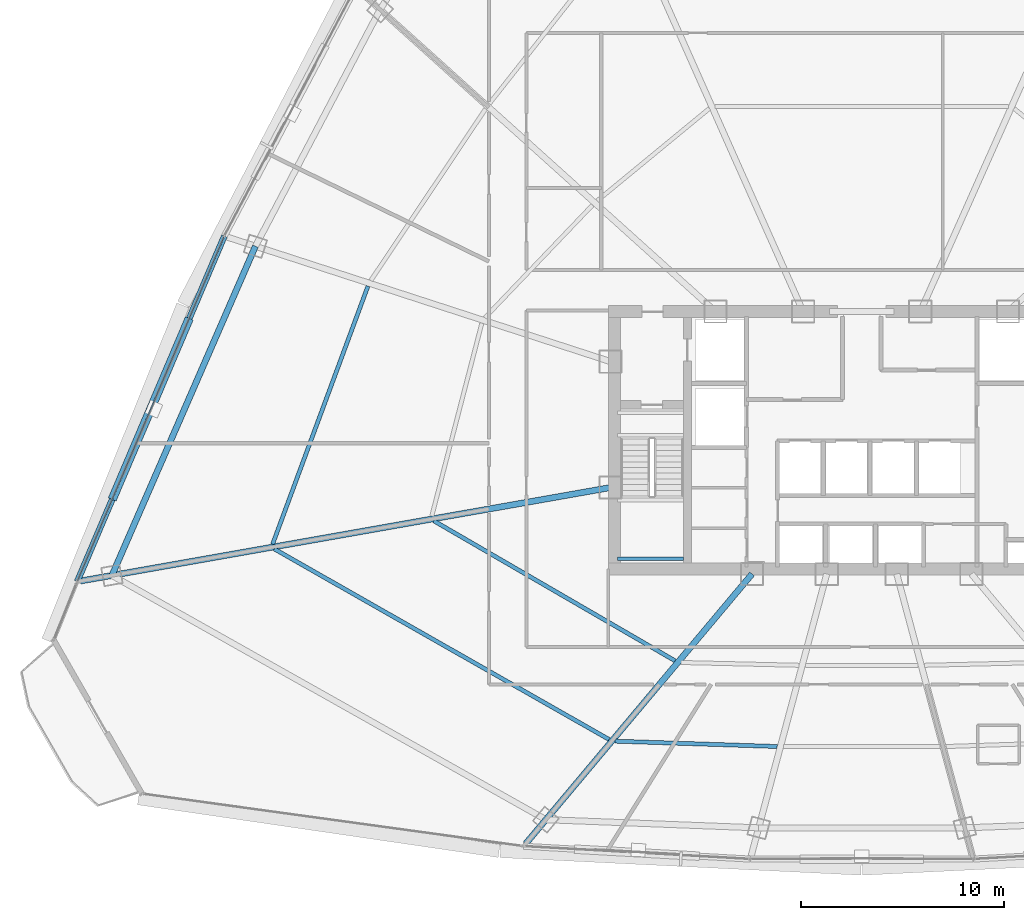
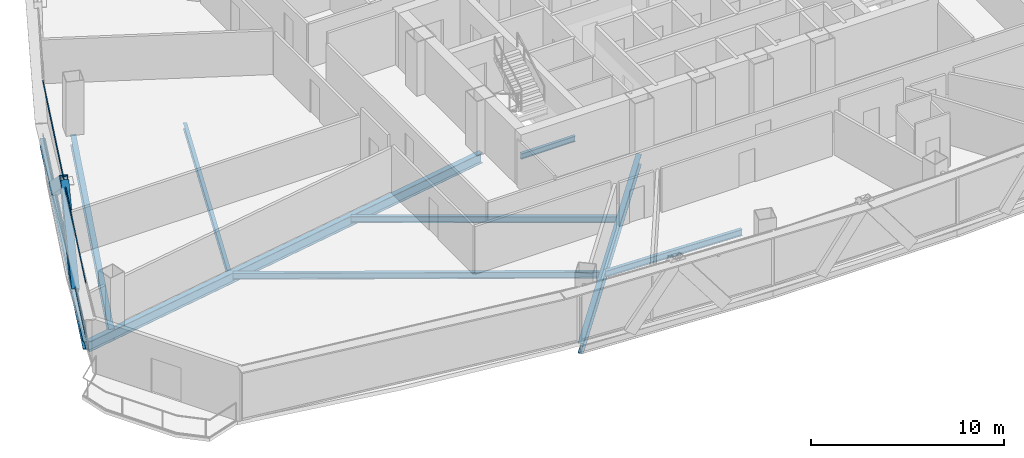
# One storey, part 7 of 39: 9 beams, 4 members, 1 element without a shape of its own.
"""IFC4 building model written with IfcOpenShell, lengths in metres."""

import ifcopenshell
import ifcopenshell.guid

model = None  # the IFC model being written
_history = None  # IfcOwnerHistory: only IFC2X3 demands one
_inside = {}  # id of a spatial element -> (the spatial element, [elements in it])
_under = {}  # id of a project, library or spatial element -> (it, [spatial elements below it])
_declared = {}  # id of a project -> (the project, [libraries it declares])
_typed = {}  # id of a type object -> (the type object, [elements of that type])
_made_of = {}  # id of a material, layer set ... -> (it, [elements and type objects made of it])


def new_model(schema):
    """Start an empty IFC model of exactly this schema.

    Asked for "IFC4X3", IfcOpenShell would pick the latest addendum, in which some entities
    have other attributes; the version numbers below select the first issue.
    IFC2X3 requires an IfcOwnerHistory on every rooted entity: one is made here for all.
    """
    global model, _history
    if schema == "IFC4X3":
        model = ifcopenshell.file(schema_version=(4, 3, 0, 0))
    else:
        model = ifcopenshell.file(schema=schema)
    _inside.clear()
    _under.clear()
    _declared.clear()
    _typed.clear()
    _made_of.clear()
    _history = None
    if model.schema == "IFC2X3":
        org = make("IfcOrganization", Name="unknown")
        user = make(
            "IfcPersonAndOrganization",
            ThePerson=make("IfcPerson", FamilyName="unknown"),
            TheOrganization=org,
        )
        app = make(
            "IfcApplication",
            ApplicationDeveloper=org,
            Version="unknown",
            ApplicationFullName="unknown",
            ApplicationIdentifier="unknown",
        )
        _history = make(
            "IfcOwnerHistory",
            OwningUser=user,
            OwningApplication=app,
            ChangeAction="ADDED",
            CreationDate=0,
        )
    return model


def make(cls, **values):
    """One entity of the class cls with the attributes given. An attribute that is None is left unset."""
    return model.create_entity(
        cls, **{name: value for name, value in values.items() if value is not None}
    )


def rooted(cls, **values):
    """An entity with a GlobalId (a new one), such as an element, a storey or a relation."""
    return make(cls, GlobalId=ifcopenshell.guid.new(), OwnerHistory=_history, **values)


def si_unit(unit_type, name, prefix=None):
    """IfcSIUnit, for example si_unit("LENGTHUNIT", "METRE", prefix="MILLI")."""
    return make("IfcSIUnit", UnitType=unit_type, Prefix=prefix, Name=name)


def assignment(units):
    """IfcUnitAssignment: the units of a project."""
    return None if units is None else make("IfcUnitAssignment", Units=units)


def point(xyz):
    """IfcCartesianPoint."""
    return None if xyz is None else make("IfcCartesianPoint", Coordinates=xyz)


def direction(xyz):
    """IfcDirection."""
    return None if xyz is None else make("IfcDirection", DirectionRatios=xyz)


def frame(location, z_axis=None, x_axis=None):
    """IfcAxis2Placement3D, a coordinate frame: its origin and axes. An axis left out is left unset."""
    return make(
        "IfcAxis2Placement3D",
        Location=point(location),
        Axis=direction(z_axis),
        RefDirection=direction(x_axis),
    )


def frame_2d(location, x_axis=None):
    """IfcAxis2Placement2D, a coordinate frame in the plane: its origin and x axis."""
    return make(
        "IfcAxis2Placement2D", Location=point(location), RefDirection=direction(x_axis)
    )


def origin():
    """The frame at (0, 0, 0) with its axes left unset."""
    return frame((0.0, 0.0, 0.0))


def origin_2d():
    """The frame at (0, 0) in the plane with its x axis left unset."""
    return frame_2d((0.0, 0.0))


def place(relative_to, where):
    """IfcLocalPlacement: puts the frame where relative to a parent placement (None: the world)."""
    return make(
        "IfcLocalPlacement", PlacementRelTo=relative_to, RelativePlacement=where
    )


def context(
    kind, dimensions, precision=None, world=None, true_north=None, identifier=None
):
    """IfcGeometricRepresentationContext, for example the 3D "Model" context."""
    return make(
        "IfcGeometricRepresentationContext",
        ContextIdentifier=identifier,
        ContextType=kind,
        CoordinateSpaceDimension=dimensions,
        Precision=precision,
        WorldCoordinateSystem=world,
        TrueNorth=true_north,
    )


def subcontext(parent, identifier, kind, view, scale=None):
    """IfcGeometricRepresentationSubContext, for example "Body" below "Model"."""
    return make(
        "IfcGeometricRepresentationSubContext",
        ContextIdentifier=identifier,
        ContextType=kind,
        ParentContext=parent,
        TargetScale=scale,
        TargetView=view,
    )


def project(units=None, contexts=None):
    """IfcProject with its units and contexts."""
    return rooted(
        "IfcProject",
        Name="project",
        RepresentationContexts=contexts,
        UnitsInContext=assignment(units),
    )


def spatial(cls, under=None, at=None, **own):
    """A site, building, storey or space (cls), placed at a placement, below another one or the project."""
    s = rooted(cls, ObjectPlacement=at, **own)
    if under is not None:
        _under.setdefault(under.id(), (under, []))[1].append(s)
    return s


def profile(cls, at=None, kind="AREA", **sizes):
    """A parametric profile (cls). Its sizes go by their IFC names, for example OverallWidth=200.0."""
    return make(cls, ProfileType=kind, Position=at, **sizes)


def hollow_rectangle(**sizes):
    """IfcRectangleHollowProfileDef."""
    return profile("IfcRectangleHollowProfileDef", **sizes)


def i_section(**sizes):
    """IfcIShapeProfileDef."""
    return profile("IfcIShapeProfileDef", **sizes)


def extrude(swept, where, along, depth):
    """IfcExtrudedAreaSolid: the profile swept, set in the frame where, extruded along a direction by depth."""
    return make(
        "IfcExtrudedAreaSolid",
        SweptArea=swept,
        Position=where,
        ExtrudedDirection=direction(along),
        Depth=depth,
    )


def shape(context_of_items, identifier, shape_type, items):
    """IfcShapeRepresentation: the items that make up one representation, for example the "Body"."""
    return make(
        "IfcShapeRepresentation",
        ContextOfItems=context_of_items,
        RepresentationIdentifier=identifier,
        RepresentationType=shape_type,
        Items=items,
    )


def source(mapping_origin, context_of_items, identifier, shape_type, items):
    """IfcRepresentationMap: a shape defined once, which mapped items show again and again."""
    return make(
        "IfcRepresentationMap",
        MappingOrigin=mapping_origin,
        MappedRepresentation=shape(context_of_items, identifier, shape_type, items),
    )


def transform(
    local_origin,
    x_axis=None,
    y_axis=None,
    z_axis=None,
    scale=None,
    scale2=None,
    scale3=None,
    uniform=True,
):
    """IfcCartesianTransformationOperator3D, or its non-uniform kind. x_axis, y_axis, z_axis: its Axis1, 2, 3."""
    if uniform:
        return make(
            "IfcCartesianTransformationOperator3D",
            Axis1=direction(x_axis),
            Axis2=direction(y_axis),
            LocalOrigin=point(local_origin),
            Scale=scale,
            Axis3=direction(z_axis),
        )
    return make(
        "IfcCartesianTransformationOperator3DnonUniform",
        Axis1=direction(x_axis),
        Axis2=direction(y_axis),
        LocalOrigin=point(local_origin),
        Scale=scale,
        Axis3=direction(z_axis),
        Scale2=scale2,
        Scale3=scale3,
    )


def mapped(mapping_source, mapping_target):
    """IfcMappedItem: shows the shape of a source again, moved by a transform."""
    return make(
        "IfcMappedItem", MappingSource=mapping_source, MappingTarget=mapping_target
    )


def material(Name=None, Category=None):
    """IfcMaterial."""
    return make("IfcMaterial", Name=Name, Category=Category)


def layer(
    of_material, thickness, ventilated=None, Name=None, Category=None, Priority=None
):
    """IfcMaterialLayer: one layer of a wall or slab, of a material (None: an air gap)."""
    return make(
        "IfcMaterialLayer",
        Material=of_material,
        LayerThickness=thickness,
        IsVentilated=ventilated,
        Name=Name,
        Category=Category,
        Priority=Priority,
    )


def layer_set(layers, Name=None):
    """IfcMaterialLayerSet."""
    return make("IfcMaterialLayerSet", MaterialLayers=layers, LayerSetName=Name)


def material_profile(
    of_material, cross_section, Name=None, Category=None, Priority=None
):
    """IfcMaterialProfile: a cross section and its material."""
    return make(
        "IfcMaterialProfile",
        Name=Name,
        Material=of_material,
        Profile=cross_section,
        Priority=Priority,
        Category=Category,
    )


def profile_set(profiles, Name=None, composite=None):
    """IfcMaterialProfileSet."""
    return make(
        "IfcMaterialProfileSet",
        Name=Name,
        MaterialProfiles=profiles,
        CompositeProfile=composite,
    )


def made_of(thing, what):
    """Note that an element or type object is made of a material, layer set ...; save() writes the relation."""
    if what is not None:
        _made_of.setdefault(what.id(), (what, []))[1].append(thing)
    return thing


def type_object(cls, material=None, **own):
    """A type object (cls), such as IfcWallType, which elements share."""
    return made_of(rooted(cls, **own), material)


def element(
    cls,
    number,
    at=None,
    inside=None,
    cuts=None,
    type_object=None,
    material=None,
    context=None,
    identifier="Body",
    shape_type=None,
    held_by="IfcProductDefinitionShape",
    body=None,
    shapes=None,
    **own,
):
    """One element of the class cls, such as IfcWall. Its Tag is "e" and its number.

    at: its placement. inside: the storey or other place that contains it. cuts: it is an
    opening in that element (IfcRelVoidsElement). A single representation is given by context,
    identifier, shape_type and body (its items); several are given by shapes. held_by: the class
    of the entity that holds the representations. save() writes the other relations.
    """
    e = rooted(cls, Tag="e%d" % number, ObjectPlacement=at, **own)
    if body is not None:
        shapes = [shape(context, identifier, shape_type, body)]
    if shapes is not None:
        e.Representation = make(held_by, Representations=shapes)
    if inside is not None:
        _inside.setdefault(inside.id(), (inside, []))[1].append(e)
    if cuts is not None:
        rooted(
            "IfcRelVoidsElement", RelatingBuildingElement=cuts, RelatedOpeningElement=e
        )
    if type_object is not None:
        _typed.setdefault(type_object.id(), (type_object, []))[1].append(e)
    return made_of(e, material)


def aggregate(whole, parts):
    """IfcRelAggregates: a whole, such as a stair, and the parts it consists of."""
    return rooted("IfcRelAggregates", RelatingObject=whole, RelatedObjects=parts)


def save(model, path):
    """Write the relations noted so far, then the file.

    IfcRelAggregates (storeys below a building ...), IfcRelContainedInSpatialStructure (elements
    in a storey), IfcRelDefinesByType, IfcRelAssociatesMaterial and IfcRelDeclares: one each for
    every whole, place, type object, material and project.
    """
    for whole, parts in _under.values():
        aggregate(whole, parts)
    for where, things in _inside.values():
        rooted(
            "IfcRelContainedInSpatialStructure",
            RelatedElements=things,
            RelatingStructure=where,
        )
    for kind, things in _typed.values():
        rooted("IfcRelDefinesByType", RelatedObjects=things, RelatingType=kind)
    for what, things in _made_of.values():
        rooted("IfcRelAssociatesMaterial", RelatedObjects=things, RelatingMaterial=what)
    for by, libraries in _declared.values():
        rooted("IfcRelDeclares", RelatingContext=by, RelatedDefinitions=libraries)
    model.write(path)


model = new_model("IFC4")

# Units and contexts
model_context = context("Model", 3, precision=1e-05, world=origin(), true_north=direction((0.0, 1.0)))
body_context = subcontext(model_context, "Body", "Model", "MODEL_VIEW")
ifc_project = project(units=[si_unit("LENGTHUNIT", "METRE"), si_unit("AREAUNIT", "SQUARE_METRE"), si_unit("VOLUMEUNIT", "CUBIC_METRE"), si_unit("PLANEANGLEUNIT", "RADIAN"), si_unit("MASSUNIT", "GRAM", prefix="KILO"), si_unit("THERMODYNAMICTEMPERATUREUNIT", "KELVIN"), si_unit("POWERUNIT", "WATT")], contexts=[model_context])

# Site, building, storey
site_placement = place(None, origin())
site = spatial("IfcSite", under=ifc_project, at=site_placement, CompositionType="ELEMENT")
building_placement = place(site_placement, origin())
building = spatial("IfcBuilding", under=site, at=building_placement, Name="Yunzhuo Pagoda Commons", CompositionType="ELEMENT")
storey_placement = place(building_placement, frame((0.0, 0.0, 148.22998046875)))
storey = spatial("IfcBuildingStorey", under=building, at=storey_placement, Name="L37", CompositionType="ELEMENT", Elevation=148.22998046875)

# Beams
ifc_material_1 = material(Name="Structural steel Q355B", Category="steel")
ifc_material_profile_1 = material_profile(ifc_material_1, i_section(OverallWidth=0.175048828125, OverallDepth=0.35009765625, WebThickness=0.007080078125, FlangeThickness=0.010986328125, at=origin_2d()), Name="Structural steel Q355B")
ifc_profile_set_1 = profile_set([ifc_material_profile_1], Name="Structural steel Q355B")
beam_type_1 = type_object("IfcBeamType", Name="B-JS2 Joist HN 350x175x7x11", PredefinedType="JOIST", material=ifc_profile_set_1)
shared_shape_1 = source(origin(), body_context, "Body", "SweptSolid", [
    extrude(i_section(OverallWidth=0.175048828125, OverallDepth=0.35009765625, WebThickness=0.007080078125, FlangeThickness=0.010986328125, at=origin_2d()), origin(), (0.0, 0.0, 1.0), 3.25),
])
beam_1_placement = place(storey_placement, frame((35.949951171875, 28.0, 1.465087890625), z_axis=(1.0, 0.0, 0.0), x_axis=(0.0, 1.0, 0.0)))
element("IfcBeam", 1, at=beam_1_placement, inside=storey, type_object=beam_type_1, Name="L37 ST1 landing support beam 43A", PredefinedType="JOIST", context=body_context, shape_type="MappedRepresentation", body=[
    mapped(shared_shape_1, transform((0.0, 0.0, 0.0), scale=1.0)),
])
ifc_material_profile_2 = material_profile(ifc_material_1, i_section(OverallWidth=0.199951171875, OverallDepth=0.39990234375, WebThickness=0.008056640625, FlangeThickness=0.012939453125, at=origin_2d()), Name="Structural steel Q355B")
ifc_profile_set_2 = profile_set([ifc_material_profile_2], Name="Structural steel Q355B")
beam_type_2 = type_object("IfcBeamType", Name="B-JS1 Joist HN 400x200x8x13", PredefinedType="JOIST", material=ifc_profile_set_2)
shared_shape_2 = source(origin(), body_context, "Body", "SweptSolid", [
    extrude(i_section(OverallWidth=0.199951171875, OverallDepth=0.39990234375, WebThickness=0.008056640625, FlangeThickness=0.012939453125, at=origin_2d()), origin(), (0.0, 0.0, 1.0), 8.00537109375),
])
beam_2_placement = place(storey_placement, frame((35.8291015625, 19.00048828125, -0.459716796875), z_axis=(0.999453403952, -0.033058937199, 0.0), x_axis=(0.033058937199, 0.999453403952, 0.0)))
element("IfcBeam", 2, at=beam_2_placement, inside=storey, type_object=beam_type_2, Name="L37 composite ring joist 2.1", PredefinedType="JOIST", context=body_context, shape_type="MappedRepresentation", body=[
    mapped(shared_shape_2, transform((0.0, 0.0, 0.0), scale=1.0)),
])
shared_shape_3 = source(origin(), body_context, "Body", "SweptSolid", [
    extrude(i_section(OverallWidth=0.199951171875, OverallDepth=0.39990234375, WebThickness=0.008056640625, FlangeThickness=0.012939453125, at=origin_2d()), origin(), (0.0, 0.0, 1.0), 13.76416015625),
])
beam_3_placement = place(storey_placement, frame((26.882568359375, 29.87255859375, -0.459716796875), z_axis=(0.864967288101, -0.501828248025, 0.0), x_axis=(0.501828248025, 0.864967288101, 0.0)))
element("IfcBeam", 3, at=beam_3_placement, inside=storey, type_object=beam_type_2, Name="L37 composite ring joist 1.12", PredefinedType="JOIST", context=body_context, shape_type="MappedRepresentation", body=[
    mapped(shared_shape_3, transform((0.0, 0.0, 0.0), scale=1.0)),
])
shared_shape_4 = source(origin(), body_context, "Body", "SweptSolid", [
    extrude(i_section(OverallWidth=0.199951171875, OverallDepth=0.39990234375, WebThickness=0.008056640625, FlangeThickness=0.012939453125, at=origin_2d()), origin(), (0.0, 0.0, 1.0), 19.007568359375),
])
beam_4_placement = place(storey_placement, frame((19.01220703125, 28.485595703125, -0.459716796875), z_axis=(0.869119947472, -0.494601371718, 0.0), x_axis=(0.494601371718, 0.869119947472, 0.0)))
element("IfcBeam", 4, at=beam_4_placement, inside=storey, type_object=beam_type_2, Name="L37 composite ring joist 2.12", PredefinedType="JOIST", context=body_context, shape_type="MappedRepresentation", body=[
    mapped(shared_shape_4, transform((0.0, 0.0, 0.0), scale=1.0)),
])
ifc_material_profile_3 = material_profile(ifc_material_1, i_section(OverallWidth=0.300048828125, OverallDepth=0.64990234375, WebThickness=0.012939453125, FlangeThickness=0.02197265625, at=origin_2d()), Name="Structural steel Q355B")
ifc_profile_set_3 = profile_set([ifc_material_profile_3], Name="Structural steel Q355B")
beam_type_3 = type_object("IfcBeamType", Name="B-RG2 Beam HN 650x300x13x22", PredefinedType="BEAM", material=ifc_profile_set_3)
shared_shape_5 = source(origin(), body_context, "Body", "SweptSolid", [
    extrude(i_section(OverallWidth=0.300048828125, OverallDepth=0.64990234375, WebThickness=0.012939453125, FlangeThickness=0.02197265625, at=origin_2d()), origin(), (0.0, 0.0, 1.0), 17.72021484375),
])
beam_5_placement = place(storey_placement, frame((18.084716796875, 43.420166015625, -0.584716796875), z_axis=(-0.399643307961, -0.916670729544, 0.0), x_axis=(0.916670729544, -0.399643307961, 0.0)))
element("IfcBeam", 5, at=beam_5_placement, inside=storey, type_object=beam_type_3, Name="L37 column-ring beam 11", PredefinedType="BEAM", context=body_context, shape_type="MappedRepresentation", body=[
    mapped(shared_shape_5, transform((0.0, 0.0, 0.0), scale=1.0)),
])
shared_shape_6 = source(origin(), body_context, "Body", "SweptSolid", [
    extrude(i_section(OverallWidth=0.199951171875, OverallDepth=0.39990234375, WebThickness=0.008056640625, FlangeThickness=0.012939453125, at=origin_2d()), origin(), (0.0, 0.0, 1.0), 13.577880859375),
])
beam_6_placement = place(storey_placement, frame((23.634765625, 41.44970703125, -0.459716796875), z_axis=(-0.3465634723, -0.938026523968, 0.0), x_axis=(0.938026523968, -0.3465634723, 0.0)))
element("IfcBeam", 6, at=beam_6_placement, inside=storey, type_object=beam_type_2, Name="L37 composite ring joist 2.11", PredefinedType="JOIST", context=body_context, shape_type="MappedRepresentation", body=[
    mapped(shared_shape_6, transform((0.0, 0.0, 0.0), scale=1.0)),
])
shared_shape_7 = source(origin(), body_context, "Body", "SweptSolid", [
    extrude(i_section(OverallWidth=0.300048828125, OverallDepth=0.64990234375, WebThickness=0.012939453125, FlangeThickness=0.02197265625, at=origin_2d()), origin(), (0.0, 0.0, 1.0), 17.38330078125),
])
beam_7_placement = place(storey_placement, frame((31.414306640625, 13.93359375, -0.584716796875), z_axis=(0.642780601859, 0.766050323329, 0.0), x_axis=(-0.766050323329, 0.642780601859, 0.0)))
element("IfcBeam", 7, at=beam_7_placement, inside=storey, type_object=beam_type_3, Name="L37 radial floor girder F1C1", PredefinedType="BEAM", context=body_context, shape_type="MappedRepresentation", body=[
    mapped(shared_shape_7, transform((0.0, 0.0, 0.0), scale=1.0)),
])
shared_shape_8 = source(origin(), body_context, "Body", "SweptSolid", [
    extrude(i_section(OverallWidth=0.300048828125, OverallDepth=0.64990234375, WebThickness=0.012939453125, FlangeThickness=0.02197265625, at=origin_2d()), origin(), (0.0, 0.0, 1.0), 26.559814453125),
])
beam_8_placement = place(storey_placement, frame((9.44384765625, 26.901611328125, -0.584716796875), z_axis=(0.984809273686, 0.173639553277, 0.0), x_axis=(-0.173639553277, 0.984809273686, 0.0)))
element("IfcBeam", 8, at=beam_8_placement, inside=storey, type_object=beam_type_3, Name="L37 radial floor girder F3C4", PredefinedType="BEAM", context=body_context, shape_type="MappedRepresentation", body=[
    mapped(shared_shape_8, transform((0.0, 0.0, 0.0), scale=1.0)),
])
ifc_material_profile_4 = material_profile(ifc_material_1, i_section(OverallWidth=0.300048828125, OverallDepth=0.488037109375, WebThickness=0.010986328125, FlangeThickness=0.01806640625, at=origin_2d()), Name="Structural steel Q355B")
ifc_profile_set_4 = profile_set([ifc_material_profile_4], Name="Structural steel Q355B")
beam_type_4 = type_object("IfcBeamType", Name="B-SP1 Beam HM 488x300x11x18", PredefinedType="BEAM", material=ifc_profile_set_4)
shared_shape_9 = source(origin(), body_context, "Body", "SweptSolid", [
    extrude(i_section(OverallWidth=0.300048828125, OverallDepth=0.488037109375, WebThickness=0.010986328125, FlangeThickness=0.01806640625, at=origin_2d()), origin(), (0.0, 0.0, 1.0), 18.525634765625),
])
beam_9_placement = place(storey_placement, frame((16.54833984375, 43.91943359375, -0.50390625), z_axis=(-0.391745555192, -0.920073594876, 0.0), x_axis=(0.920073594876, -0.391745555192, 0.0)))
element("IfcBeam", 9, at=beam_9_placement, inside=storey, type_object=beam_type_4, Name="L37 facade edge spandrel beam F3.3", PredefinedType="BEAM", context=body_context, shape_type="MappedRepresentation", body=[
    mapped(shared_shape_9, transform((0.0, 0.0, 0.0), scale=1.0)),
])

# Members
ifc_material_2 = material(Name="Structural steel Q420B", Category="steel")
ifc_material_profile_5 = material_profile(ifc_material_2, hollow_rectangle(XDim=0.419921875, YDim=0.719970703125, WallThickness=0.028076171875, at=origin_2d()), Name="Structural steel Q420B")
ifc_profile_set_5 = profile_set([ifc_material_profile_5], Name="Structural steel Q420B")
member_type_1 = type_object("IfcMemberType", Name="M-DL1 Brace BOX 720x420x28", PredefinedType="BRACE", material=ifc_profile_set_5)
shared_shape_10 = source(origin(), body_context, "Body", "SweptSolid", [
    extrude(hollow_rectangle(XDim=0.419921875, YDim=0.719970703125, WallThickness=0.028076171875, at=origin_2d()), origin(), (0.0, 0.0, 1.0), 5.915283203125),
])
member_1_placement = place(storey_placement, frame((14.73388671875, 39.658203125, -0.260009765625), z_axis=(-0.306695249889, -0.720368576444, 0.622098977469), x_axis=(0.920083094717, -0.391723242629, 0.0)))
element("IfcMember", 10, at=member_1_placement, inside=storey, type_object=member_type_1, Name="L37 facade diamond brace F3.3L", PredefinedType="BRACE", context=body_context, shape_type="MappedRepresentation", body=[
    mapped(shared_shape_10, transform((0.0, 0.0, 0.0), scale=1.0)),
])
shared_shape_11 = source(origin(), body_context, "Body", "SweptSolid", [
    extrude(hollow_rectangle(XDim=0.419921875, YDim=0.719970703125, WallThickness=0.028076171875, at=origin_2d()), origin(), (0.0, 0.0, 1.0), 5.91552734375),
])
member_2_placement = place(storey_placement, frame((11.105224609375, 31.1357421875, -0.260009765625), z_axis=(0.306732639421, 0.720359457542, 0.622091102528), x_axis=(-0.920064094689, 0.391767867064, 0.0)))
element("IfcMember", 11, at=member_2_placement, inside=storey, type_object=member_type_1, Name="L37 facade diamond brace F3.3R", PredefinedType="BRACE", context=body_context, shape_type="MappedRepresentation", body=[
    mapped(shared_shape_11, transform((0.0, 0.0, 0.0), scale=1.0)),
])

# Curtain wall, members
ifc_material_3 = material(Name="Anodized aluminium 6063-T6", Category="aluminium")
ifc_layer = layer(ifc_material_3, 0.14990234375)
ifc_layer_set = layer_set([ifc_layer], Name="Anodized aluminium 6063-T6")
curtain_wall_type = type_object("IfcCurtainWallType", Name="CW-MID Mid-Zone Ribbon Curtain Wall", PredefinedType="NOTDEFINED", material=ifc_layer_set)
curtain_wall_placement = place(storey_placement, origin())
curtain_wall = element("IfcCurtainWall", 12, at=curtain_wall_placement, inside=storey, type_object=curtain_wall_type, Name="L37 curtain wall CW-L37-F3B4", PredefinedType="NOTDEFINED")
ifc_material_profile_6 = material_profile(ifc_material_3, hollow_rectangle(XDim=0.054931640625, YDim=0.1298828125, WallThickness=0.00341796875, at=origin_2d()), Name="Anodized aluminium 6063-T6")
ifc_profile_set_6 = profile_set([ifc_material_profile_6], Name="Anodized aluminium 6063-T6")
member_type_2 = type_object("IfcMemberType", Name="CW-MID-T Transom RHS 130x55x3.5", PredefinedType="USERDEFINED", material=ifc_profile_set_6)
shared_shape_12 = source(origin(), body_context, "Body", "SweptSolid", [
    extrude(hollow_rectangle(XDim=0.054931640625, YDim=0.1298828125, WallThickness=0.00341796875, at=origin_2d()), origin(), (0.0, 0.0, 1.0), 18.4052734375),
])
member_3_placement = place(storey_placement, frame((16.52490234375, 43.864013671875, 0.027587890625), z_axis=(-0.391760180447, -0.920067367651, 0.0), x_axis=(0.920067367651, -0.391760180447, 0.0)))
member_3 = element("IfcMember", 13, at=member_3_placement, type_object=member_type_2, Name="CW transom 1.1", ObjectType="TRANSOM", PredefinedType="USERDEFINED", context=body_context, shape_type="MappedRepresentation", body=[
    mapped(shared_shape_12, transform((0.0, 0.0, 0.0), scale=1.0)),
])
member_4_placement = place(storey_placement, frame((16.52490234375, 43.864013671875, 3.392578125), z_axis=(-0.391760180447, -0.920067367651, 0.0), x_axis=(0.920067367651, -0.391760180447, 0.0)))
member_4 = element("IfcMember", 14, at=member_4_placement, type_object=member_type_2, Name="CW transom 1.2", ObjectType="TRANSOM", PredefinedType="USERDEFINED", context=body_context, shape_type="MappedRepresentation", body=[
    mapped(shared_shape_12, transform((0.0, 0.0, 0.0), scale=1.0)),
])
aggregate(curtain_wall, [member_3, member_4])

save(model, "model.ifc")
